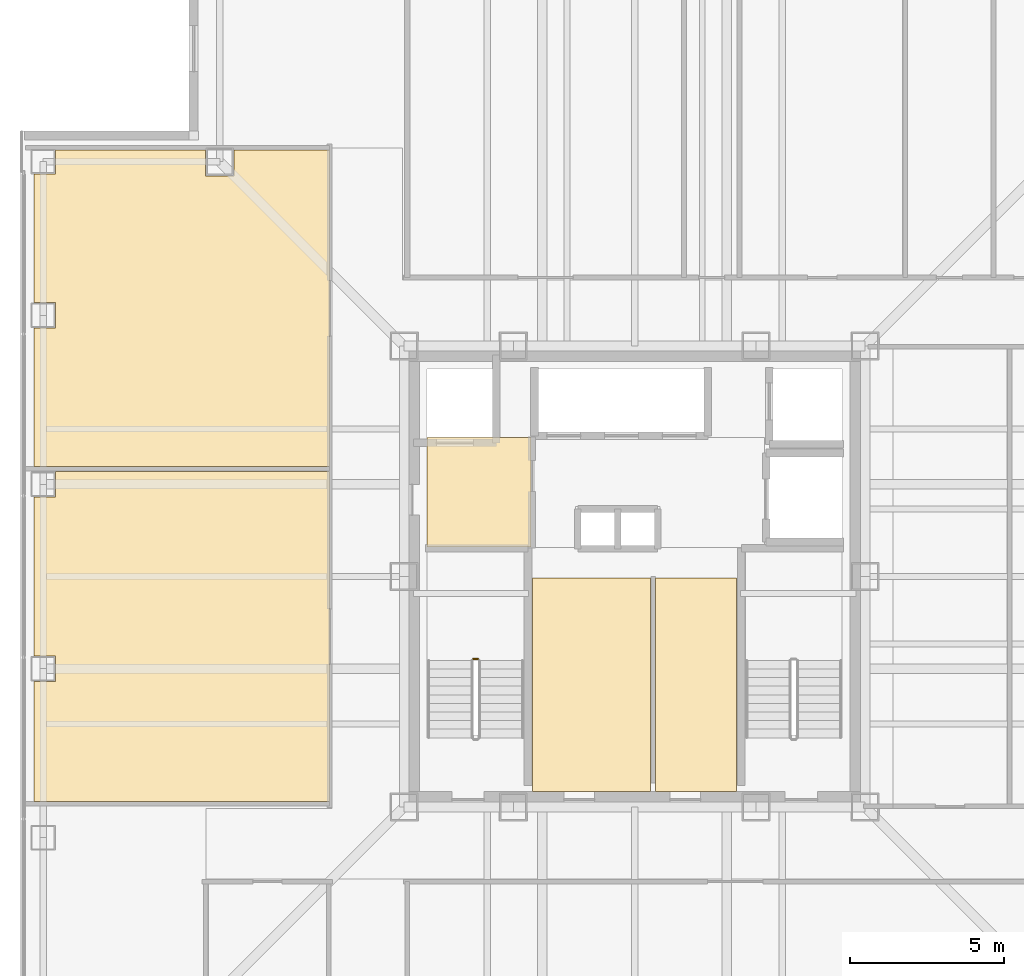
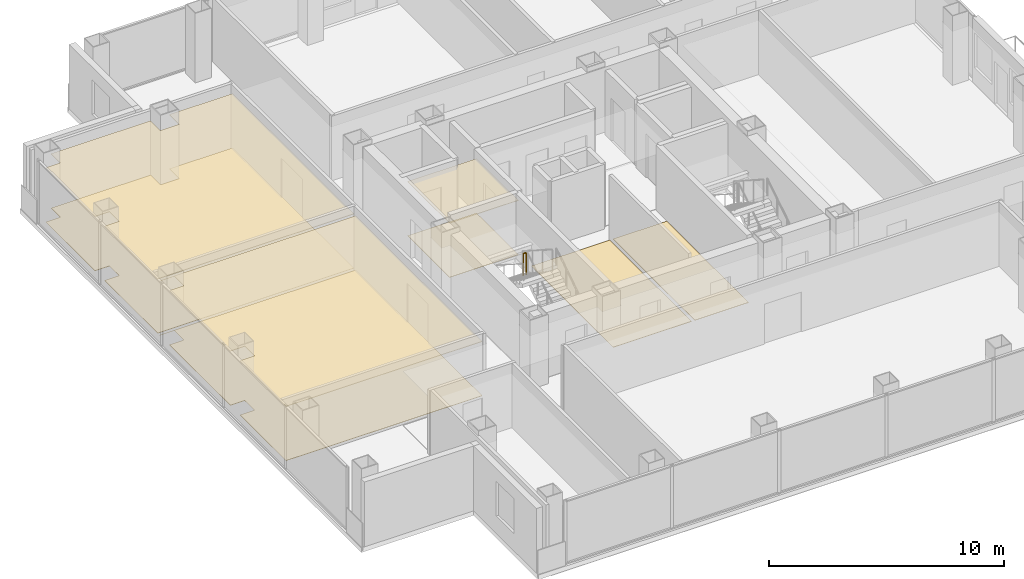
# One storey, part 14 of 17: 8 coverings, 1 railing.
"""IFC4 building model written with IfcOpenShell, lengths in metres."""

from ifc_helpers import new_model, si_unit, direction, frame, origin, origin_2d, place, context, subcontext, project, spatial, polyline, circle, outline, extrude, material, layer, layer_set, type_object, element, save


model = new_model("IFC4")

# Units and contexts
model_context = context("Model", 3, precision=1e-05, world=origin(), true_north=direction((0.0, 1.0)))
body_context = subcontext(model_context, "Body", "Model", "MODEL_VIEW")
ifc_project = project(units=[si_unit("LENGTHUNIT", "METRE"), si_unit("AREAUNIT", "SQUARE_METRE"), si_unit("VOLUMEUNIT", "CUBIC_METRE"), si_unit("PLANEANGLEUNIT", "RADIAN"), si_unit("MASSUNIT", "GRAM", prefix="KILO")], contexts=[model_context])

# Site, building, storey
site_placement = place(None, origin())
site = spatial("IfcSite", under=ifc_project, at=site_placement, CompositionType="ELEMENT")
building_placement = place(site_placement, origin())
building = spatial("IfcBuilding", under=site, at=building_placement, Name="Trevonay Congress Spire", CompositionType="ELEMENT")
storey_placement = place(building_placement, frame((0.0, 0.0, 187.800048828125)))
storey = spatial("IfcBuildingStorey", under=building, at=storey_placement, Name="L48", CompositionType="ELEMENT", Elevation=187.800048828125)

# Coverings
ifc_material_1 = material(Name="Acoustic Mineral Fibre Board", Category="gypsum")
ifc_layer_1 = layer(ifc_material_1, 0.02490234375, Name="Acoustic Mineral Fibre Board")
ifc_layer_set_1 = layer_set([ifc_layer_1], Name="Acoustic Mineral Fibre Board")
covering_type_1 = type_object("IfcCoveringType", Name="COV-CEIL-ACOUSTIC", PredefinedType="CEILING", material=ifc_layer_set_1)
covering_1_placement = place(storey_placement, frame((0.0, 0.0, 2.81005859375)))
element("IfcCovering", 1, at=covering_1_placement, inside=storey, type_object=covering_type_1, Name="L48 Firefighting Lift Lobby West acoustic suspended ceiling", PredefinedType="CEILING", context=body_context, shape_type="SweptSolid", body=[
    extrude(outline(polyline([(-6.75, 0.9599609375), (-3.3798828125, 0.9599609375), (-3.3798828125, 4.52001953125), (-6.75, 4.52001953125), (-6.75, 0.9599609375)])), origin(), (0.0, 0.0, 1.0), 0.02490234375),
])
covering_2_placement = place(storey_placement, frame((0.0, 0.0, 2.81005859375)))
element("IfcCovering", 2, at=covering_2_placement, inside=storey, type_object=covering_type_1, Name="L48 Claimant Caucus Boardroom acoustic suspended ceiling", PredefinedType="CEILING", context=body_context, shape_type="SweptSolid", body=[
    extrude(outline(polyline([(-19.550048828125, 3.419921875), (-9.929931640625, 3.419921875), (-9.929931640625, -7.320068359375), (-19.550048828125, -7.320068359375), (-19.550048828125, -3.409912109375), (-18.840087890625, -3.409912109375), (-18.840087890625, -2.590087890625), (-19.550048828125, -2.590087890625), (-19.550048828125, 2.590087890625), (-18.840087890625, 2.590087890625), (-18.840087890625, 3.409912109375), (-19.550048828125, 3.409912109375), (-19.550048828125, 3.419921875)])), origin(), (0.0, 0.0, 1.0), 0.02490234375),
])
covering_3_placement = place(storey_placement, frame((0.0, 0.0, 2.81005859375)))
element("IfcCovering", 3, at=covering_3_placement, inside=storey, type_object=covering_type_1, Name="L48 Respondent Caucus Boardroom acoustic suspended ceiling", PredefinedType="CEILING", context=body_context, shape_type="SweptSolid", body=[
    extrude(outline(polyline([(-9.929931640625, 13.8701171875), (-9.929931640625, 3.580078125), (-19.550048828125, 3.580078125), (-19.550048828125, 8.090087890625), (-18.840087890625, 8.090087890625), (-18.840087890625, 8.909912109375), (-19.550048828125, 8.909912109375), (-19.550048828125, 13.090087890625), (-18.840087890625, 13.090087890625), (-18.840087890625, 13.8701171875), (-13.9599609375, 13.8701171875), (-13.9599609375, 13.0400390625), (-13.0400390625, 13.0400390625), (-13.0400390625, 13.8701171875), (-9.929931640625, 13.8701171875)])), origin(), (0.0, 0.0, 1.0), 0.02490234375),
])
ifc_material_2 = material(Name="Polished Granite Floor Tile", Category="masonry")
ifc_layer_2 = layer(ifc_material_2, 0.02001953125, Name="Polished Granite Floor Tile")
ifc_layer_set_2 = layer_set([ifc_layer_2], Name="Polished Granite Floor Tile")
covering_type_2 = type_object("IfcCoveringType", Name="COV-FLOOR-STONE", PredefinedType="FLOORING", material=ifc_layer_set_2)
covering_4_placement = place(storey_placement, origin())
element("IfcCovering", 4, at=covering_4_placement, inside=storey, type_object=covering_type_2, Name="L48 Firefighting Lift Lobby West floor finish", PredefinedType="FLOORING", context=body_context, shape_type="SweptSolid", body=[
    extrude(outline(polyline([(-6.75, 0.9599609375), (-3.3798828125, 0.9599609375), (-3.3798828125, 4.52001953125), (-6.75, 4.52001953125), (-6.75, 0.9599609375)])), origin(), (0.0, 0.0, 1.0), 0.02001953125),
])
covering_5_placement = place(storey_placement, origin())
element("IfcCovering", 5, at=covering_5_placement, inside=storey, type_object=covering_type_2, Name="L48 Core Electrical Sub-Board Room floor finish", PredefinedType="FLOORING", context=body_context, shape_type="SweptSolid", body=[
    extrude(outline(polyline([(-3.320068359375, -7.0), (0.52001953125, -7.0), (0.52001953125, -0.050048828125), (-3.320068359375, -0.050048828125), (-3.320068359375, -7.0)])), origin(), (0.0, 0.0, 1.0), 0.02001953125),
])
covering_6_placement = place(storey_placement, origin())
element("IfcCovering", 6, at=covering_6_placement, inside=storey, type_object=covering_type_2, Name="L48 Cleaner and Housekeeping Store floor finish", PredefinedType="FLOORING", context=body_context, shape_type="SweptSolid", body=[
    extrude(outline(polyline([(0.679931640625, -7.0), (3.320068359375, -7.0), (3.320068359375, -0.050048828125), (0.679931640625, -0.050048828125), (0.679931640625, -7.0)])), origin(), (0.0, 0.0, 1.0), 0.02001953125),
])
ifc_material_3 = material(Name="Engineered Oak Flooring", Category="wood")
ifc_layer_3 = layer(ifc_material_3, 0.01806640625, Name="Engineered Oak Flooring")
ifc_layer_set_3 = layer_set([ifc_layer_3], Name="Engineered Oak Flooring")
covering_type_3 = type_object("IfcCoveringType", Name="COV-FLOOR-TIMBER", PredefinedType="FLOORING", material=ifc_layer_set_3)
covering_7_placement = place(storey_placement, origin())
element("IfcCovering", 7, at=covering_7_placement, inside=storey, type_object=covering_type_3, Name="L48 Claimant Caucus Boardroom floor finish", PredefinedType="FLOORING", context=body_context, shape_type="SweptSolid", body=[
    extrude(outline(polyline([(-19.550048828125, 3.419921875), (-9.929931640625, 3.419921875), (-9.929931640625, -7.320068359375), (-19.550048828125, -7.320068359375), (-19.550048828125, -3.409912109375), (-18.840087890625, -3.409912109375), (-18.840087890625, -2.590087890625), (-19.550048828125, -2.590087890625), (-19.550048828125, 2.590087890625), (-18.840087890625, 2.590087890625), (-18.840087890625, 3.409912109375), (-19.550048828125, 3.409912109375), (-19.550048828125, 3.419921875)])), origin(), (0.0, 0.0, 1.0), 0.01806640625),
])
covering_8_placement = place(storey_placement, origin())
element("IfcCovering", 8, at=covering_8_placement, inside=storey, type_object=covering_type_3, Name="L48 Respondent Caucus Boardroom floor finish", PredefinedType="FLOORING", context=body_context, shape_type="SweptSolid", body=[
    extrude(outline(polyline([(-9.929931640625, 13.8701171875), (-9.929931640625, 3.580078125), (-19.550048828125, 3.580078125), (-19.550048828125, 8.090087890625), (-18.840087890625, 8.090087890625), (-18.840087890625, 8.909912109375), (-19.550048828125, 8.909912109375), (-19.550048828125, 13.090087890625), (-18.840087890625, 13.090087890625), (-18.840087890625, 13.8701171875), (-13.9599609375, 13.8701171875), (-13.9599609375, 13.0400390625), (-13.0400390625, 13.0400390625), (-13.0400390625, 13.8701171875), (-9.929931640625, 13.8701171875)])), origin(), (0.0, 0.0, 1.0), 0.01806640625),
])

# Railing
ifc_material_4 = material(Name="Pale Anodised Aluminium EN AW-6063-T6", Category="aluminium")
railing_type = type_object("IfcRailingType", Name="RAL-STAIR-GUARD-110", PredefinedType="GUARDRAIL", material=ifc_material_4)
railing_placement = place(storey_placement, frame((-5.10009765625, -2.679931640625, 1.800048828125)))
element("IfcRailing", 9, at=railing_placement, inside=storey, type_object=railing_type, Name="L48 ST-1 stair guard 2", PredefinedType="GUARDRAIL", context=body_context, shape_type="SweptSolid", body=[
    extrude(circle(Radius=0.02392578125, at=origin_2d()), frame((0.0, 0.0, 1.1259765625), z_axis=(-1.0, 0.0, 0.0), x_axis=(0.0, -1.0, 0.0)), (0.0, 0.0, 1.0), 0.14990234375),
    extrude(circle(Radius=0.02099609375, at=origin_2d()), origin(), (0.0, 0.0, 1.0), 1.101806640625),
    extrude(circle(Radius=0.02099609375, at=origin_2d()), frame((-0.14990234375, 0.0, 0.0)), (0.0, 0.0, 1.0), 1.101806640625),
])

save(model, "model.ifc")
